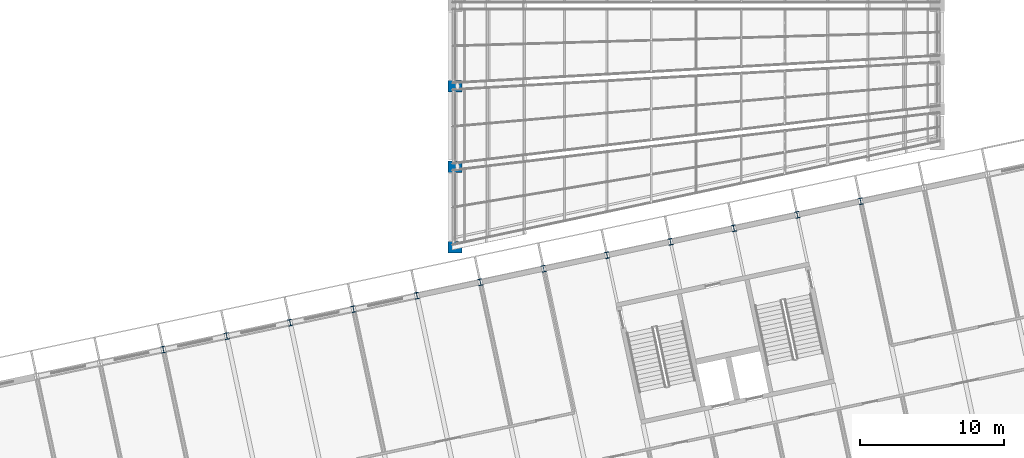
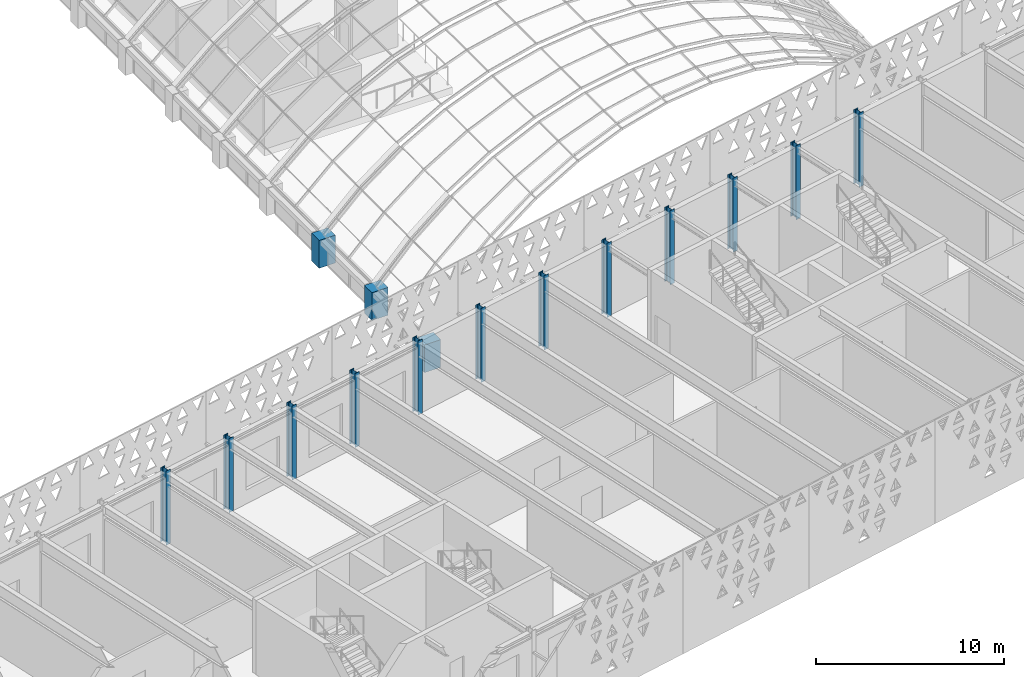
# One storey, part 14 of 182: 15 columns.
"""IFC4 building model written with IfcOpenShell, lengths in metres."""

from ifc_helpers import new_model, si_unit, direction, frame, origin, origin_2d, place, context, subcontext, project, spatial, rectangle, i_section, extrude, material, material_profile, profile_set, type_object, element, save


model = new_model("IFC4")

# Units and contexts
model_context = context("Model", 3, precision=1e-05, world=origin(), true_north=direction((0.0, 1.0)))
body_context = subcontext(model_context, "Body", "Model", "MODEL_VIEW")
ifc_project = project(units=[si_unit("LENGTHUNIT", "METRE"), si_unit("AREAUNIT", "SQUARE_METRE"), si_unit("VOLUMEUNIT", "CUBIC_METRE"), si_unit("PLANEANGLEUNIT", "RADIAN"), si_unit("MASSUNIT", "GRAM", prefix="KILO")], contexts=[model_context])

# Site, building, storey
site_placement = place(None, origin())
site = spatial("IfcSite", under=ifc_project, at=site_placement, CompositionType="ELEMENT")
building_placement = place(site_placement, origin())
building = spatial("IfcBuilding", under=site, at=building_placement, Name="Okhra Congress Centre", CompositionType="ELEMENT")
storey_placement = place(building_placement, frame((0.0, 0.0, 7.199951171875)))
storey = spatial("IfcBuildingStorey", under=building, at=storey_placement, Name="L01", CompositionType="ELEMENT", Elevation=7.199951171875)

# Columns
ifc_material_1 = material(Name="Concrete C40/50", Category="concrete")
ifc_material_profile_1 = material_profile(ifc_material_1, rectangle(XDim=1.0, YDim=0.800048828125, at=origin_2d()), Name="RC 1000x800")
ifc_profile_set_1 = profile_set([ifc_material_profile_1], Name="Concrete C40/50")
column_type_1 = type_object("IfcColumnType", Name="RC pier 1000x800 C40/50", PredefinedType="COLUMN", material=ifc_profile_set_1)
for number, where, z_axis, x_axis, name in (
    (1, (155.5, 74.2470703125, 0.0), (0.0, 0.0, 1.0), (1.0, 0.0, 0.0), "WG.COL.L01.pier-W00"),
    (2, (155.5, 79.831298828125, 0.0), (0.0, 0.0, 1.0), (1.0, 0.0, 0.0), "WG.COL.L01.pier-W01"),
    (3, (155.5, 85.415771484375, 0.0), (0.0, 0.0, 1.0), (1.0, 0.0, 0.0), "WG.COL.L01.pier-W02"),
):
    element("IfcColumn", number, at=place(storey_placement, frame(where, z_axis=z_axis, x_axis=x_axis)), inside=storey, type_object=column_type_1, Name=name, PredefinedType="COLUMN", context=body_context, shape_type="SweptSolid", body=[
        extrude(rectangle(XDim=1.0, YDim=0.800048828125, at=origin_2d()), origin(), (0.0, 0.0, 1.0), 1.800048828125),
    ])
ifc_material_2 = material(Name="Steel S355J2", Category="steel")
ifc_material_profile_2 = material_profile(ifc_material_2, i_section(OverallWidth=0.300048828125, OverallDepth=0.449951171875, WebThickness=0.013916015625, FlangeThickness=0.02587890625, FilletRadius=0.027099609375, at=origin_2d()), Name="HE 450 B")
ifc_profile_set_2 = profile_set([ifc_material_profile_2], Name="Steel S355J2")
column_type_2 = type_object("IfcColumnType", Name="Steel post HE 450 B", PredefinedType="COLUMN", material=ifc_profile_set_2)
for number, where, z_axis, x_axis, name in (
    (4, (135.2509765625, 67.125732421875, 0.0), (0.0, 0.0, 1.0), (0.978147600734, 0.207911690818, 0.0), "Post N19"),
    (5, (139.65283203125, 68.061279296875, 0.0), (0.0, 0.0, 1.0), (0.978147600734, 0.207911690818, 0.0), "Post N20"),
    (6, (144.054443359375, 68.996826171875, 0.0), (0.0, 0.0, 1.0), (0.978147600734, 0.207911690818, 0.0), "Post N21"),
    (7, (148.4560546875, 69.932373046875, 0.0), (0.0, 0.0, 1.0), (0.978147600734, 0.207911690818, 0.0), "Post N22"),
    (8, (152.857666015625, 70.867919921875, 0.0), (0.0, 0.0, 1.0), (0.978147600734, 0.207911690818, 0.0), "Post N23"),
    (9, (157.25927734375, 71.8037109375, 0.0), (0.0, 0.0, 1.0), (0.978147600734, 0.207911690818, 0.0), "Post N24"),
    (10, (161.6611328125, 72.7392578125, 0.0), (0.0, 0.0, 1.0), (0.978147600734, 0.207911690818, 0.0), "Post N25"),
    (11, (166.062744140625, 73.6748046875, 0.0), (0.0, 0.0, 1.0), (0.978147600734, 0.207911690818, 0.0), "Post N26"),
    (12, (170.46435546875, 74.6103515625, 0.0), (0.0, 0.0, 1.0), (0.978147600734, 0.207911690818, 0.0), "Post N27"),
    (13, (174.865966796875, 75.546142578125, 0.0), (0.0, 0.0, 1.0), (0.978147600734, 0.207911690818, 0.0), "Post N28"),
    (14, (179.267822265625, 76.481689453125, 0.0), (0.0, 0.0, 1.0), (0.978147600734, 0.207911690818, 0.0), "Post N29"),
    (15, (183.66943359375, 77.417236328125, 0.0), (0.0, 0.0, 1.0), (0.978147600734, 0.207911690818, 0.0), "Post N30"),
):
    element("IfcColumn", number, at=place(storey_placement, frame(where, z_axis=z_axis, x_axis=x_axis)), inside=storey, type_object=column_type_2, Name=name, PredefinedType="COLUMN", context=body_context, shape_type="SweptSolid", body=[
        extrude(i_section(OverallWidth=0.300048828125, OverallDepth=0.449951171875, WebThickness=0.013916015625, FlangeThickness=0.02587890625, FilletRadius=0.027099609375, at=origin_2d()), origin(), (0.0, 0.0, 1.0), 4.800048828125),
    ])

save(model, "model.ifc")
